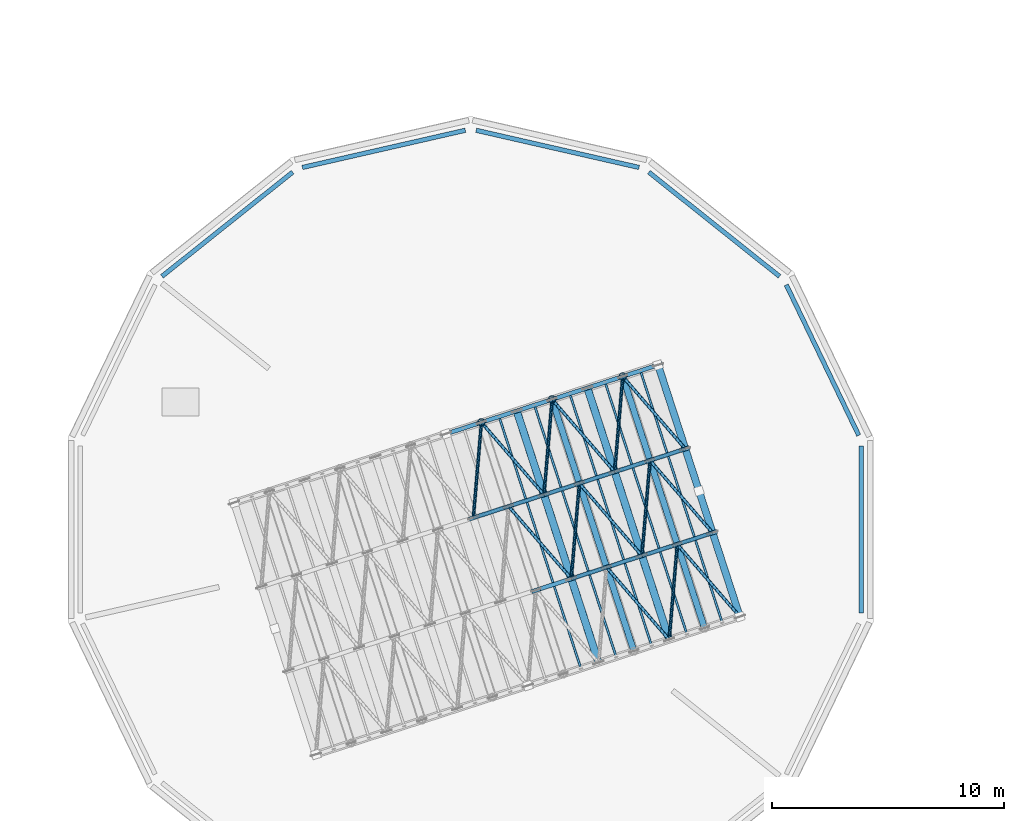
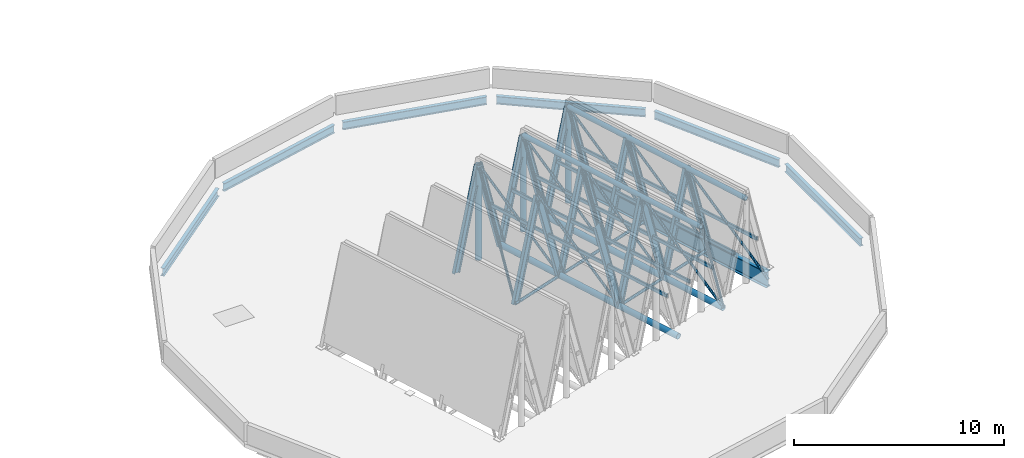
# One storey, part 9 of 51: 48 members, 7 beams.
"""IFC4 building model written with IfcOpenShell, lengths in metres."""

from ifc_helpers import new_model, si_unit, direction, frame, origin, origin_2d, place, context, subcontext, project, spatial, hollow_rectangle, hollow_circle, i_section, extrude, material, material_profile, profile_set, type_object, element, save


model = new_model("IFC4")

# Units and contexts
model_context = context("Model", 3, precision=1e-05, world=origin(), true_north=direction((0.0, 1.0)))
body_context = subcontext(model_context, "Body", "Model", "MODEL_VIEW")
ifc_project = project(units=[si_unit("LENGTHUNIT", "METRE"), si_unit("AREAUNIT", "SQUARE_METRE"), si_unit("VOLUMEUNIT", "CUBIC_METRE"), si_unit("PLANEANGLEUNIT", "RADIAN"), si_unit("MASSUNIT", "GRAM", prefix="KILO")], contexts=[model_context])

# Site, building, storey
site_placement = place(None, origin())
site = spatial("IfcSite", under=ifc_project, at=site_placement, CompositionType="ELEMENT")
building_placement = place(site_placement, origin())
building = spatial("IfcBuilding", under=site, at=building_placement, Name="Wrenclough Park School", CompositionType="ELEMENT")
storey_placement = place(building_placement, frame((0.0, 0.0, 16.800048828125)))
storey = spatial("IfcBuildingStorey", under=building, at=storey_placement, Name="L04", CompositionType="ELEMENT", Elevation=16.800048828125)

# Beams
ifc_material = material(Name="Structural steel S355", Category="steel")
ifc_material_profile_1 = material_profile(ifc_material, i_section(OverallWidth=0.19140625, OverallDepth=0.4599609375, WebThickness=0.010009765625, FlangeThickness=0.01611328125, FilletRadius=0.01025390625, at=origin_2d()), Name="UKB 457x191x82")
ifc_profile_set_1 = profile_set([ifc_material_profile_1], Name="Structural steel S355")
beam_type_1 = type_object("IfcBeamType", Name="STR-BM-UKB457B", PredefinedType="SPANDREL", material=ifc_profile_set_1)
for number, where, z_axis, x_axis, name in (
    (1, (53.21337890625, 27.5546875, -0.455078125), (-0.433866614901, 0.90097711429, 0.0), (-0.90097711429, -0.433866614901, 0.0), "D2 L04 outer ring spandrel beam 1"),
    (2, (49.799072265625, 34.40478515625, -0.455078125), (-0.781834238424, 0.623486345984, 0.0), (-0.623486345984, -0.781834238424, 0.0), "D2 L04 outer ring spandrel beam 2"),
    (3, (43.75048828125, 39.09521484375, -0.455078125), (-0.974933191805, 0.22249780115, 0.0), (-0.22249780115, -0.974933191805, 0.0), "D2 L04 outer ring spandrel beam 3"),
    (4, (36.26611328125, 40.696533203125, -0.455078125), (-0.974933191805, -0.22249780115, 0.0), (0.22249780115, -0.974933191805, 0.0), "D2 L04 outer ring spandrel beam 4"),
    (5, (28.827880859375, 38.89208984375, -0.455078125), (-0.781834238424, -0.623486345984, 0.0), (0.623486345984, -0.781834238424, 0.0), "D2 L04 outer ring spandrel beam 5"),
):
    element("IfcBeam", number, at=place(storey_placement, frame(where, z_axis=z_axis, x_axis=x_axis)), inside=storey, type_object=beam_type_1, Name=name, PredefinedType="SPANDREL", context=body_context, shape_type="SweptSolid", body=[
        extrude(i_section(OverallWidth=0.19140625, OverallDepth=0.4599609375, WebThickness=0.010009765625, FlangeThickness=0.01611328125, FilletRadius=0.01025390625, at=origin_2d()), origin(), (0.0, 0.0, 1.0), 7.197021484375),
    ])
beam_1_placement = place(storey_placement, frame((53.3173828125, 19.901611328125, -0.455078125), z_axis=(0.0, 1.0, 0.0), x_axis=(-1.0, 0.0, 0.0)))
element("IfcBeam", 6, at=beam_1_placement, inside=storey, type_object=beam_type_1, Name="D2 L04 outer ring spandrel beam 14", PredefinedType="SPANDREL", context=body_context, shape_type="SweptSolid", body=[
    extrude(i_section(OverallWidth=0.19140625, OverallDepth=0.4599609375, WebThickness=0.010009765625, FlangeThickness=0.01611328125, FilletRadius=0.01025390625, at=origin_2d()), origin(), (0.0, 0.0, 1.0), 7.19677734375),
])
ifc_material_profile_2 = material_profile(ifc_material, i_section(OverallWidth=0.30419921875, OverallDepth=0.910400390625, WebThickness=0.015869140625, FlangeThickness=0.02392578125, FilletRadius=0.01904296875, at=origin_2d()), Name="UKB 914x305x224")
ifc_profile_set_2 = profile_set([ifc_material_profile_2], Name="Structural steel S355")
beam_type_2 = type_object("IfcBeamType", Name="STR-BM-UKB914", PredefinedType="BEAM", material=ifc_profile_set_2)
beam_2_placement = place(storey_placement, frame((48.091552734375, 19.74560546875, -0.68017578125), z_axis=(-0.309029415059, 0.951052480481, 0.0), x_axis=(-0.951052480481, -0.309029415059, 0.0)))
element("IfcBeam", 7, at=beam_2_placement, inside=storey, type_object=beam_type_2, Name="D2 folded-plate roof ring beam 2", PredefinedType="BEAM", context=body_context, shape_type="SweptSolid", body=[
    extrude(i_section(OverallWidth=0.30419921875, OverallDepth=0.910400390625, WebThickness=0.015869140625, FlangeThickness=0.02392578125, FilletRadius=0.01904296875, at=origin_2d()), origin(), (0.0, 0.0, 1.0), 11.400146484375),
])

# Members
ifc_material_profile_3 = material_profile(ifc_material, hollow_circle(Radius=0.06982421875, WallThickness=0.008056640625, at=origin_2d()), Name="CHS 139.7x8.0")
ifc_profile_set_3 = profile_set([ifc_material_profile_3], Name="Structural steel S355")
member_type_1 = type_object("IfcMemberType", Name="STR-MEM-BRACE1", PredefinedType="BRACE", material=ifc_profile_set_3)
for number, where, z_axis, x_axis, name in (
    (8, (40.83056640625, 21.3818359375, -0.68017578125), (-0.390613442581, 0.451983932745, 0.801954900861), (-0.756604618734, -0.653872656494, 0.0), "D2 folded-plane diagonal brace 4.2R"),
    (9, (36.61279296875, 24.007080078125, -0.68017578125), (0.050334999877, 0.595247630309, 0.801964242594), (-0.996443741804, 0.084260722878, 0.0), "D2 folded-plane diagonal brace 4.3L"),
    (10, (39.65625, 24.995849609375, -0.68017578125), (-0.390613442581, 0.451983932745, 0.801954900861), (-0.756604618734, -0.653872656494, 0.0), "D2 folded-plane diagonal brace 4.3R"),
    (11, (45.048095703125, 18.756591796875, -0.68017578125), (-0.390583466945, 0.451990177561, 0.801965981035), (-0.756633912407, -0.653838758866, 0.0), "D2 folded-plane diagonal brace 5.1R"),
    (12, (40.83056640625, 21.3818359375, -0.68017578125), (0.050334999877, 0.595247630309, 0.801964242594), (-0.996443741804, 0.084260722878, 0.0), "D2 folded-plane diagonal brace 5.2L"),
    (13, (43.873779296875, 22.37060546875, -0.68017578125), (-0.390583466945, 0.451990177561, 0.801965981035), (-0.756633912407, -0.653838758866, 0.0), "D2 folded-plane diagonal brace 5.2R"),
    (14, (39.65625, 24.995849609375, -0.68017578125), (0.050334999877, 0.595247630309, 0.801964242594), (-0.996443741804, 0.084260722878, 0.0), "D2 folded-plane diagonal brace 5.3L"),
    (15, (42.69970703125, 25.984619140625, -0.68017578125), (-0.390613442581, 0.451983932745, 0.801954900861), (-0.756604618734, -0.653872656494, 0.0), "D2 folded-plane diagonal brace 5.3R"),
    (16, (45.048095703125, 18.756591796875, -0.68017578125), (0.050334999877, 0.595247630309, 0.801964242594), (-0.996443741804, 0.084260722878, 0.0), "D2 folded-plane diagonal brace 6.1L"),
):
    element("IfcMember", number, at=place(storey_placement, frame(where, z_axis=z_axis, x_axis=x_axis)), inside=storey, type_object=member_type_1, Name=name, PredefinedType="BRACE", context=body_context, shape_type="SweptSolid", body=[
        extrude(hollow_circle(Radius=0.06982421875, WallThickness=0.008056640625, at=origin_2d()), origin(), (0.0, 0.0, 1.0), 6.902099609375),
    ])
member_1_placement = place(storey_placement, frame((48.091552734375, 19.74560546875, -0.68017578125), z_axis=(-0.390619687456, 0.451955786165, 0.801967721996), x_axis=(-0.756579301186, -0.653901950614, 0.0)))
element("IfcMember", 17, at=member_1_placement, inside=storey, type_object=member_type_1, Name="D2 folded-plane diagonal brace 6.1R", PredefinedType="BRACE", context=body_context, shape_type="SweptSolid", body=[
    extrude(hollow_circle(Radius=0.06982421875, WallThickness=0.008056640625, at=origin_2d()), origin(), (0.0, 0.0, 1.0), 6.90185546875),
])
member_2_placement = place(storey_placement, frame((43.873779296875, 22.37060546875, -0.68017578125), z_axis=(0.050334999877, 0.595247630309, 0.801964242594), x_axis=(-0.996443741804, 0.084260722878, 0.0)))
element("IfcMember", 18, at=member_2_placement, inside=storey, type_object=member_type_1, Name="D2 folded-plane diagonal brace 6.2L", PredefinedType="BRACE", context=body_context, shape_type="SweptSolid", body=[
    extrude(hollow_circle(Radius=0.06982421875, WallThickness=0.008056640625, at=origin_2d()), origin(), (0.0, 0.0, 1.0), 6.902099609375),
])
member_3_placement = place(storey_placement, frame((46.917236328125, 23.359619140625, -0.68017578125), z_axis=(-0.390619687456, 0.451955786165, 0.801967721996), x_axis=(-0.756579301186, -0.653901950614, 0.0)))
element("IfcMember", 19, at=member_3_placement, inside=storey, type_object=member_type_1, Name="D2 folded-plane diagonal brace 6.2R", PredefinedType="BRACE", context=body_context, shape_type="SweptSolid", body=[
    extrude(hollow_circle(Radius=0.06982421875, WallThickness=0.008056640625, at=origin_2d()), origin(), (0.0, 0.0, 1.0), 6.90185546875),
])
for number, where, z_axis, x_axis, name in (
    (20, (42.69970703125, 25.984619140625, -0.68017578125), (0.050333940057, 0.595270468882, 0.801947356973), (-0.996444162174, 0.084255751546, 0.0), "D2 folded-plane diagonal brace 6.3L"),
    (21, (45.742919921875, 26.9736328125, -0.68017578125), (-0.390583466945, 0.451990177561, 0.801965981035), (-0.756633912407, -0.653838758866, 0.0), "D2 folded-plane diagonal brace 6.3R"),
):
    element("IfcMember", number, at=place(storey_placement, frame(where, z_axis=z_axis, x_axis=x_axis)), inside=storey, type_object=member_type_1, Name=name, PredefinedType="BRACE", context=body_context, shape_type="SweptSolid", body=[
        extrude(hollow_circle(Radius=0.06982421875, WallThickness=0.008056640625, at=origin_2d()), origin(), (0.0, 0.0, 1.0), 6.902099609375),
    ])
ifc_material_profile_4 = material_profile(ifc_material, hollow_circle(Radius=0.084228515625, WallThickness=0.010009765625, at=origin_2d()), Name="CHS 168.3x10.0")
ifc_profile_set_4 = profile_set([ifc_material_profile_4], Name="Structural steel S355")
member_type_2 = type_object("IfcMemberType", Name="STR-MEM-BRACE2", PredefinedType="BRACE", material=ifc_profile_set_4)
member_4_placement = place(storey_placement, frame((36.61279296875, 24.007080078125, -0.68017578125), z_axis=(0.951066581729, 0.308986014439, 0.0), x_axis=(-0.308986014439, 0.951066581729, 0.0)))
element("IfcMember", 22, at=member_4_placement, inside=storey, type_object=member_type_2, Name="D2 bay 4 frame 3 tie member", PredefinedType="BRACE", context=body_context, shape_type="SweptSolid", body=[
    extrude(hollow_circle(Radius=0.084228515625, WallThickness=0.010009765625, at=origin_2d()), origin(), (0.0, 0.0, 1.0), 3.199951171875),
])
member_5_placement = place(storey_placement, frame((40.83056640625, 21.3818359375, -0.68017578125), z_axis=(0.951059297078, 0.309008435874, 0.0), x_axis=(-0.309008435874, 0.951059297078, 0.0)))
element("IfcMember", 23, at=member_5_placement, inside=storey, type_object=member_type_2, Name="D2 bay 5 frame 2 tie member", PredefinedType="BRACE", context=body_context, shape_type="SweptSolid", body=[
    extrude(hollow_circle(Radius=0.084228515625, WallThickness=0.010009765625, at=origin_2d()), origin(), (0.0, 0.0, 1.0), 3.19970703125),
])
member_6_placement = place(storey_placement, frame((39.65625, 24.995849609375, -0.68017578125), z_axis=(0.951066581729, 0.308986014439, 0.0), x_axis=(-0.308986014439, 0.951066581729, 0.0)))
element("IfcMember", 24, at=member_6_placement, inside=storey, type_object=member_type_2, Name="D2 bay 5 frame 3 tie member", PredefinedType="BRACE", context=body_context, shape_type="SweptSolid", body=[
    extrude(hollow_circle(Radius=0.084228515625, WallThickness=0.010009765625, at=origin_2d()), origin(), (0.0, 0.0, 1.0), 3.199951171875),
])
member_7_placement = place(storey_placement, frame((43.873779296875, 22.37060546875, -0.68017578125), z_axis=(0.95104415986, 0.309055020985, 0.0), x_axis=(-0.309055020985, 0.95104415986, 0.0)))
element("IfcMember", 25, at=member_7_placement, inside=storey, type_object=member_type_2, Name="D2 bay 6 frame 2 tie member", PredefinedType="BRACE", context=body_context, shape_type="SweptSolid", body=[
    extrude(hollow_circle(Radius=0.084228515625, WallThickness=0.010009765625, at=origin_2d()), origin(), (0.0, 0.0, 1.0), 3.2001953125),
])
member_8_placement = place(storey_placement, frame((42.69970703125, 25.984619140625, -0.68017578125), z_axis=(0.951036872128, 0.309077446369, 0.0), x_axis=(-0.309077446369, 0.951036872128, 0.0)))
element("IfcMember", 26, at=member_8_placement, inside=storey, type_object=member_type_2, Name="D2 bay 6 frame 3 tie member", PredefinedType="BRACE", context=body_context, shape_type="SweptSolid", body=[
    extrude(hollow_circle(Radius=0.084228515625, WallThickness=0.010009765625, at=origin_2d()), origin(), (0.0, 0.0, 1.0), 3.199951171875),
])
ifc_material_profile_5 = material_profile(ifc_material, hollow_circle(Radius=0.136474609375, WallThickness=0.012451171875, at=origin_2d()), Name="CHS 273.0x12.5")
ifc_profile_set_5 = profile_set([ifc_material_profile_5], Name="Structural steel S355")
member_type_3 = type_object("IfcMemberType", Name="STR-MEM-CHORD1", PredefinedType="CHORD", material=ifc_profile_set_5)
member_9_placement = place(storey_placement, frame((43.526611328125, 18.26220703125, 4.85498046875), z_axis=(-0.309029415059, 0.951052480481, 0.0), x_axis=(-0.951052480481, -0.309029415059, 0.0)))
element("IfcMember", 27, at=member_9_placement, inside=storey, type_object=member_type_3, Name="D2 folded-plate ridge chord 5", PredefinedType="CHORD", context=body_context, shape_type="SweptSolid", body=[
    extrude(hollow_circle(Radius=0.136474609375, WallThickness=0.012451171875, at=origin_2d()), origin(), (0.0, 0.0, 1.0), 11.400146484375),
])
member_10_placement = place(storey_placement, frame((46.56982421875, 19.251220703125, 4.85498046875), z_axis=(-0.309010044294, 0.951058774485, 0.0), x_axis=(-0.951058774485, -0.309010044294, 0.0)))
element("IfcMember", 28, at=member_10_placement, inside=storey, type_object=member_type_3, Name="D2 folded-plate ridge chord 6", PredefinedType="CHORD", context=body_context, shape_type="SweptSolid", body=[
    extrude(hollow_circle(Radius=0.136474609375, WallThickness=0.012451171875, at=origin_2d()), origin(), (0.0, 0.0, 1.0), 11.39990234375),
])
ifc_material_profile_6 = material_profile(ifc_material, hollow_circle(Radius=0.161865234375, WallThickness=0.01611328125, at=origin_2d()), Name="CHS 323.9x16.0")
ifc_profile_set_6 = profile_set([ifc_material_profile_6], Name="Structural steel S355")
member_type_4 = type_object("IfcMemberType", Name="STR-MEM-CHORD2", PredefinedType="CHORD", material=ifc_profile_set_6)
member_11_placement = place(storey_placement, frame((42.0048828125, 17.767822265625, -0.68017578125), z_axis=(-0.309029415059, 0.951052480481, 0.0), x_axis=(-0.951052480481, -0.309029415059, 0.0)))
element("IfcMember", 29, at=member_11_placement, inside=storey, type_object=member_type_4, Name="D2 folded-plate valley chord 4", PredefinedType="CHORD", context=body_context, shape_type="SweptSolid", body=[
    extrude(hollow_circle(Radius=0.161865234375, WallThickness=0.01611328125, at=origin_2d()), origin(), (0.0, 0.0, 1.0), 11.400146484375),
])
member_12_placement = place(storey_placement, frame((45.048095703125, 18.756591796875, -0.68017578125), z_axis=(-0.309010044294, 0.951058774485, 0.0), x_axis=(-0.951058774485, -0.309010044294, 0.0)))
element("IfcMember", 30, at=member_12_placement, inside=storey, type_object=member_type_4, Name="D2 folded-plate valley chord 5", PredefinedType="CHORD", context=body_context, shape_type="SweptSolid", body=[
    extrude(hollow_circle(Radius=0.161865234375, WallThickness=0.01611328125, at=origin_2d()), origin(), (0.0, 0.0, 1.0), 11.39990234375),
])
for number, where, z_axis, x_axis, name in (
    (31, (36.960205078125, 28.115478515625, -0.68017578125), (0.0, 0.0, 1.0), (1.0, 0.0, 0.0), "D2 folded-plate gable king-post 4N"),
    (32, (40.003662109375, 29.104248046875, -0.68017578125), (0.0, 0.0, 1.0), (1.0, 0.0, 0.0), "D2 folded-plate gable king-post 5N"),
    (33, (43.047119140625, 30.09326171875, -0.68017578125), (0.0, 0.0, 1.0), (1.0, 0.0, 0.0), "D2 folded-plate gable king-post 6N"),
):
    element("IfcMember", number, at=place(storey_placement, frame(where, z_axis=z_axis, x_axis=x_axis)), inside=storey, type_object=member_type_4, Name=name, PredefinedType="CHORD", context=body_context, shape_type="SweptSolid", body=[
        extrude(hollow_circle(Radius=0.161865234375, WallThickness=0.01611328125, at=origin_2d()), origin(), (0.0, 0.0, 1.0), 5.53515625),
    ])
ifc_material_profile_7 = material_profile(ifc_material, hollow_rectangle(XDim=0.10009765625, YDim=0.199951171875, WallThickness=0.008056640625, InnerFilletRadius=0.008056640625, OuterFilletRadius=0.011962890625, at=origin_2d()), Name="RHS 200x100x8.0")
ifc_profile_set_7 = profile_set([ifc_material_profile_7], Name="Structural steel S355")
member_type_5 = type_object("IfcMemberType", Name="STR-MEM-PURLIN2", PredefinedType="PURLIN", material=ifc_profile_set_7)
for number, where, z_axis, x_axis, name in (
    (34, (41.243896484375, 17.5205078125, 2.08740234375), (-0.309003750566, 0.951060819367, 0.0), (-0.951060819367, -0.309003750566, 0.0), "D2 folded-plate purlin 4R"),
    (35, (42.765625, 18.014892578125, 2.08740234375), (-0.309003750566, 0.951060819367, 0.0), (-0.951060819367, -0.309003750566, 0.0), "D2 folded-plate purlin 5L"),
    (36, (44.287353515625, 18.509521484375, 2.08740234375), (-0.309029415059, 0.951052480481, 0.0), (-0.951052480481, -0.309029415059, 0.0), "D2 folded-plate purlin 5R"),
    (37, (45.80908203125, 19.00390625, 2.08740234375), (-0.309029415059, 0.951052480481, 0.0), (-0.951052480481, -0.309029415059, 0.0), "D2 folded-plate purlin 6L"),
    (38, (47.330810546875, 19.498291015625, 2.08740234375), (-0.309029415059, 0.951052480481, 0.0), (-0.951052480481, -0.309029415059, 0.0), "D2 folded-plate purlin 6R"),
):
    element("IfcMember", number, at=place(storey_placement, frame(where, z_axis=z_axis, x_axis=x_axis)), inside=storey, type_object=member_type_5, Name=name, PredefinedType="PURLIN", context=body_context, shape_type="SweptSolid", body=[
        extrude(hollow_rectangle(XDim=0.10009765625, YDim=0.199951171875, WallThickness=0.008056640625, InnerFilletRadius=0.008056640625, OuterFilletRadius=0.011962890625, at=origin_2d()), origin(), (0.0, 0.0, 1.0), 11.400146484375),
    ])
ifc_material_profile_8 = material_profile(ifc_material, i_section(OverallWidth=0.177978515625, OverallDepth=0.406494140625, WebThickness=0.0078125, FlangeThickness=0.0126953125, FilletRadius=0.01025390625, at=origin_2d()), Name="UKB 406x178x60")
ifc_profile_set_8 = profile_set([ifc_material_profile_8], Name="Structural steel S355")
member_type_6 = type_object("IfcMemberType", Name="STR-MEM-RAFTER2", PredefinedType="RAFTER", material=ifc_profile_set_8)
for number, where, z_axis, x_axis, name in (
    (39, (39.308837890625, 20.887451171875, 4.85498046875), (0.264107680453, 0.085804276098, -0.96066891244), (-0.308986014439, 0.951066581729, 0.0), "D2 bay 4 frame 2 east rafter"),
    (40, (36.61279296875, 24.007080078125, -0.68017578125), (0.264107680453, 0.085804276098, 0.96066891244), (-0.308986014439, 0.951066581729, 0.0), "D2 bay 4 frame 3 west rafter"),
    (41, (38.134521484375, 24.50146484375, 4.85498046875), (0.264107680453, 0.085804276098, -0.96066891244), (-0.308986014439, 0.951066581729, 0.0), "D2 bay 4 frame 3 east rafter"),
    (42, (35.438720703125, 27.62109375, -0.68017578125), (0.264068262912, 0.085805236264, 0.960679662506), (-0.309030860391, 0.951052010842, 0.0), "D2 bay 4 frame 4 west rafter"),
    (43, (36.960205078125, 28.115478515625, 4.85498046875), (0.264107680453, 0.085804276098, -0.96066891244), (-0.308986014439, 0.951066581729, 0.0), "D2 bay 4 frame 4 east rafter"),
    (44, (40.83056640625, 21.3818359375, -0.68017578125), (0.264107680453, 0.085804276098, 0.96066891244), (-0.308986014439, 0.951066581729, 0.0), "D2 bay 5 frame 2 west rafter"),
    (45, (42.352294921875, 21.876220703125, 4.85498046875), (0.264068262912, 0.085805236264, -0.960679662506), (-0.309030860391, 0.951052010842, 0.0), "D2 bay 5 frame 2 east rafter"),
    (46, (39.65625, 24.995849609375, -0.68017578125), (0.264107680453, 0.085804276098, 0.96066891244), (-0.308986014439, 0.951066581729, 0.0), "D2 bay 5 frame 3 west rafter"),
    (47, (41.177978515625, 25.490234375, 4.85498046875), (0.264107680453, 0.085804276098, -0.96066891244), (-0.308986014439, 0.951066581729, 0.0), "D2 bay 5 frame 3 east rafter"),
    (48, (38.48193359375, 28.60986328125, -0.68017578125), (0.264107680453, 0.085804276098, 0.96066891244), (-0.308986014439, 0.951066581729, 0.0), "D2 bay 5 frame 4 west rafter"),
    (49, (40.003662109375, 29.104248046875, 4.85498046875), (0.264107680453, 0.085804276098, -0.96066891244), (-0.308986014439, 0.951066581729, 0.0), "D2 bay 5 frame 4 east rafter"),
    (50, (43.873779296875, 22.37060546875, -0.68017578125), (0.264107680453, 0.085804276098, 0.96066891244), (-0.308986014439, 0.951066581729, 0.0), "D2 bay 6 frame 2 west rafter"),
    (51, (45.3955078125, 22.864990234375, 4.85498046875), (0.264106719995, 0.085846336388, -0.960665418854), (-0.309124022649, 0.951021734043, 0.0), "D2 bay 6 frame 2 east rafter"),
    (52, (42.69970703125, 25.984619140625, -0.68017578125), (0.264068262912, 0.085805236264, 0.960679662506), (-0.309030860391, 0.951052010842, 0.0), "D2 bay 6 frame 3 west rafter"),
    (53, (44.22119140625, 26.47900390625, 4.85498046875), (0.264106719995, 0.085846336388, -0.960665418854), (-0.309124022649, 0.951021734043, 0.0), "D2 bay 6 frame 3 east rafter"),
    (54, (41.525390625, 29.5986328125, -0.68017578125), (0.264106719995, 0.085846336388, 0.960665418854), (-0.309124022649, 0.951021734043, 0.0), "D2 bay 6 frame 4 west rafter"),
    (55, (43.047119140625, 30.09326171875, 4.85498046875), (0.264068262912, 0.085805236264, -0.960679662506), (-0.309030860391, 0.951052010842, 0.0), "D2 bay 6 frame 4 east rafter"),
):
    element("IfcMember", number, at=place(storey_placement, frame(where, z_axis=z_axis, x_axis=x_axis)), inside=storey, type_object=member_type_6, Name=name, PredefinedType="RAFTER", context=body_context, shape_type="SweptSolid", body=[
        extrude(i_section(OverallWidth=0.177978515625, OverallDepth=0.406494140625, WebThickness=0.0078125, FlangeThickness=0.0126953125, FilletRadius=0.01025390625, at=origin_2d()), origin(), (0.0, 0.0, 1.0), 5.76171875),
    ])

save(model, "model.ifc")
